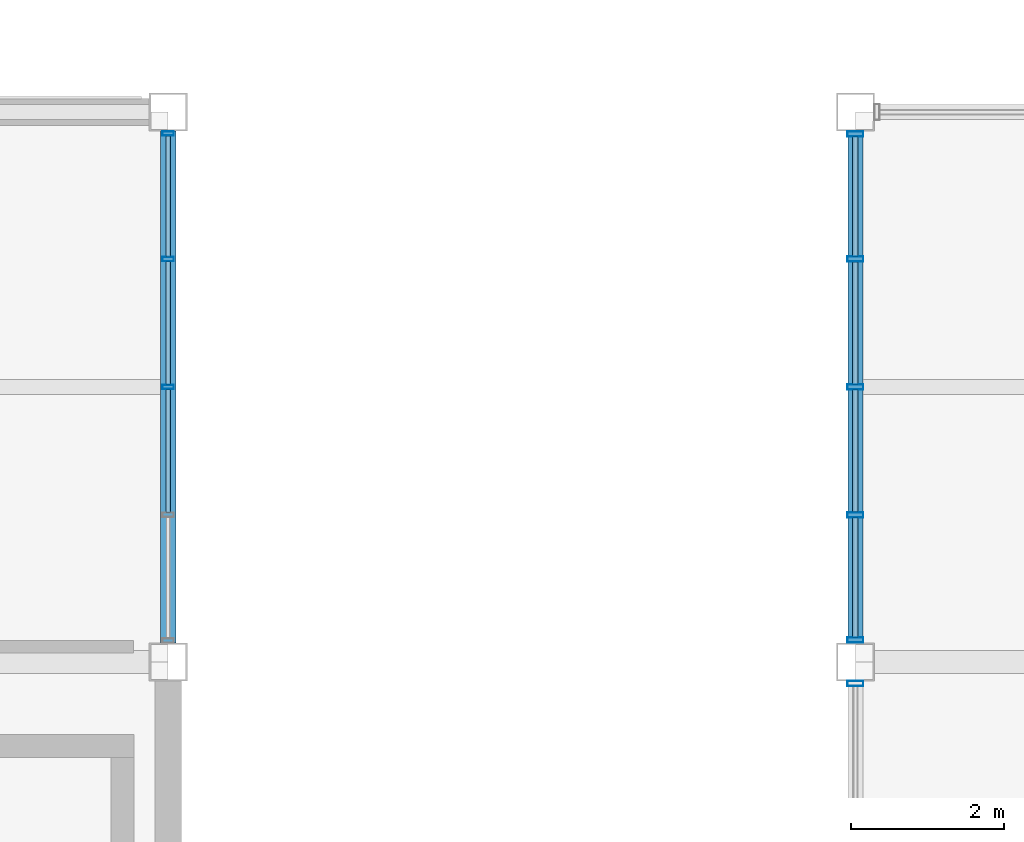
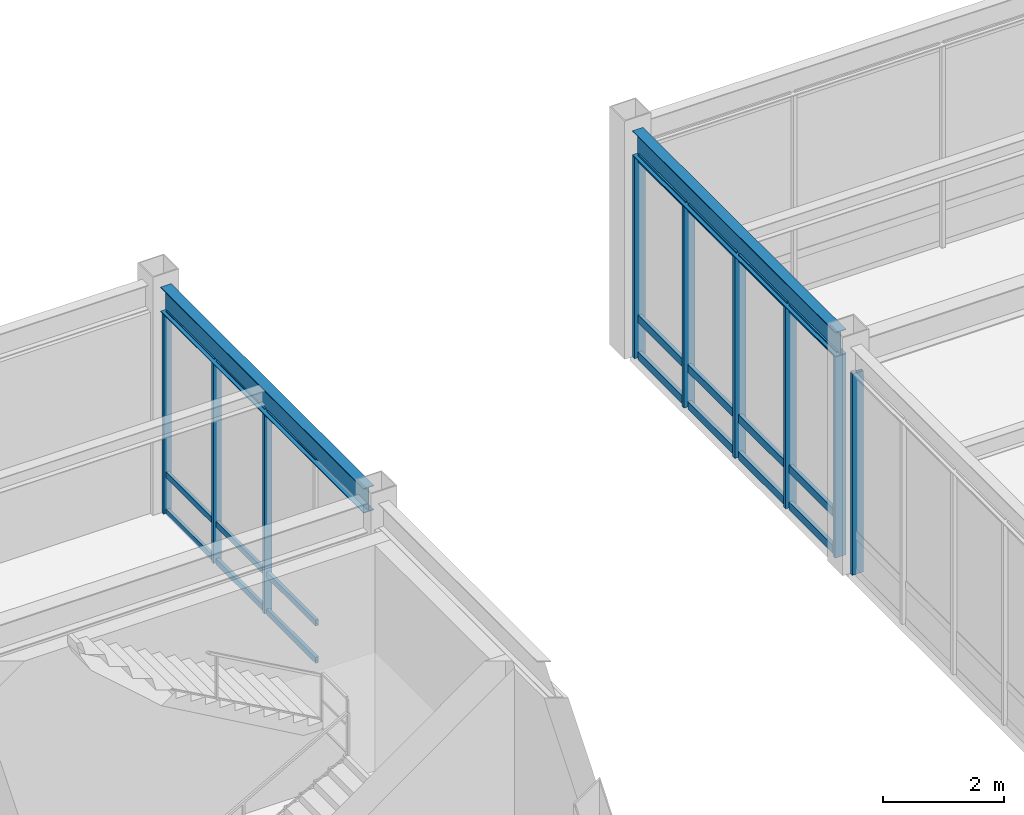
# One storey, part 55 of 112: 30 members, 2 beams, 3 elements without a shape of their own.
"""IFC4 building model written with IfcOpenShell, lengths in metres."""

from ifc_helpers import new_model, si_unit, direction, frame, origin, origin_2d, place, context, subcontext, project, spatial, hollow_rectangle, i_section, extrude, material, material_profile, profile_set, type_object, element, aggregate, save


model = new_model("IFC4")

# Units and contexts
model_context = context("Model", 3, precision=1e-05, world=origin(), true_north=direction((0.0, 1.0)))
body_context = subcontext(model_context, "Body", "Model", "MODEL_VIEW")
ifc_project = project(units=[si_unit("LENGTHUNIT", "METRE"), si_unit("AREAUNIT", "SQUARE_METRE"), si_unit("VOLUMEUNIT", "CUBIC_METRE"), si_unit("PLANEANGLEUNIT", "RADIAN"), si_unit("MASSUNIT", "GRAM", prefix="KILO")], contexts=[model_context])

# Site, building, storey
site_placement = place(None, origin())
site = spatial("IfcSite", under=ifc_project, at=site_placement, CompositionType="ELEMENT")
building_placement = place(site_placement, origin())
building = spatial("IfcBuilding", under=site, at=building_placement, Name="Kazanami Central Library", CompositionType="ELEMENT")
storey_placement = place(building_placement, origin())
storey = spatial("IfcBuildingStorey", under=building, at=storey_placement, Name="L01", CompositionType="ELEMENT", Elevation=0.0)

# Beams
ifc_material_1 = material(Name="Steel SN490B (325 MPa)", Category="steel")
ifc_material_profile_1 = material_profile(ifc_material_1, i_section(OverallWidth=0.199951171875, OverallDepth=0.5, WebThickness=0.010009765625, FlangeThickness=0.01611328125, at=origin_2d()), Name="H-500x200x10x16")
ifc_profile_set_1 = profile_set([ifc_material_profile_1], Name="Steel SN490B (325 MPa)")
beam_type = type_object("IfcBeamType", Name="BM-SP-1", PredefinedType="SPANDREL", material=ifc_profile_set_1)
for number, where, z_axis, x_axis, name in (
    (1, (36.0, 86.64794921875, 4.304931640625), (0.0, 1.0, 0.0), (-1.0, 0.0, 0.0), "Girder SP-1 L01 5/N-O"),
    (2, (45.0, 86.64794921875, 4.304931640625), (0.0, 1.0, 0.0), (-1.0, 0.0, 0.0), "Girder SP-1 L01 6/N-O"),
):
    element("IfcBeam", number, at=place(storey_placement, frame(where, z_axis=z_axis, x_axis=x_axis)), inside=storey, type_object=beam_type, Name=name, PredefinedType="SPANDREL", context=body_context, shape_type="SweptSolid", body=[
        extrude(i_section(OverallWidth=0.199951171875, OverallDepth=0.5, WebThickness=0.010009765625, FlangeThickness=0.01611328125, at=origin_2d()), origin(), (0.0, 0.0, 1.0), 6.7041015625),
    ])

# Curtain wall, member
ifc_material_2 = material(Name="Acid-Etched Low-E Laminated Glass", Category="glass")
curtain_wall_type = type_object("IfcCurtainWallType", Name="CW-6700x4055-M180", PredefinedType="USERDEFINED", material=ifc_material_2)
curtain_wall_1_placement = place(storey_placement, origin())
curtain_wall_1 = element("IfcCurtainWall", 3, at=curtain_wall_1_placement, inside=storey, type_object=curtain_wall_type, Name="Covered Link Bridge Curtain Wall CW-09 L01 W-6-11", ObjectType="UNITISED CURTAIN WALL", PredefinedType="USERDEFINED")
ifc_material_3 = material(Name="Anodised Aluminium A6063-T5", Category="aluminium")
ifc_material_profile_2 = material_profile(ifc_material_3, hollow_rectangle(XDim=0.070068359375, YDim=0.2099609375, WallThickness=0.0048828125, at=origin_2d()), Name="ALU-MULL-70x210x5")
ifc_profile_set_2 = profile_set([ifc_material_profile_2], Name="Anodised Aluminium A6063-T5")
member_type_1 = type_object("IfcMemberType", Name="MEM-CW-M1", PredefinedType="MULLION", material=ifc_profile_set_2)
member_1_placement = place(storey_placement, frame((45.0, 86.114990234375, 0.0), z_axis=(0.0, 0.0, 1.0), x_axis=(0.0, 1.0, 0.0)))
member_1 = element("IfcMember", 4, at=member_1_placement, type_object=member_type_1, Name="CW-09 mullion 5", PredefinedType="MULLION", context=body_context, shape_type="SweptSolid", body=[
    extrude(hollow_rectangle(XDim=0.070068359375, YDim=0.2099609375, WallThickness=0.0048828125, at=origin_2d()), origin(), (0.0, 0.0, 1.0), 4.054931640625),
])
aggregate(curtain_wall_1, [member_1])

# Curtain wall, members
curtain_wall_2_placement = place(storey_placement, origin())
curtain_wall_2 = element("IfcCurtainWall", 5, at=curtain_wall_2_placement, inside=storey, type_object=curtain_wall_type, Name="Covered Link Bridge Curtain Wall CW-09 L01 W-6-12", ObjectType="UNITISED CURTAIN WALL", PredefinedType="USERDEFINED")
member_2_placement = place(storey_placement, frame((45.0, 86.68505859375, 0.0), z_axis=(0.0, 0.0, 1.0), x_axis=(0.0, 1.0, 0.0)))
member_2 = element("IfcMember", 6, at=member_2_placement, type_object=member_type_1, Name="CW-09 mullion 1", PredefinedType="MULLION", context=body_context, shape_type="SweptSolid", body=[
    extrude(hollow_rectangle(XDim=0.070068359375, YDim=0.2099609375, WallThickness=0.0048828125, at=origin_2d()), origin(), (0.0, 0.0, 1.0), 4.054931640625),
])
member_3_placement = place(storey_placement, frame((45.0, 88.324951171875, 0.0), z_axis=(0.0, 0.0, 1.0), x_axis=(0.0, 1.0, 0.0)))
member_3 = element("IfcMember", 7, at=member_3_placement, type_object=member_type_1, Name="CW-09 mullion 2", PredefinedType="MULLION", context=body_context, shape_type="SweptSolid", body=[
    extrude(hollow_rectangle(XDim=0.070068359375, YDim=0.2099609375, WallThickness=0.0048828125, at=origin_2d()), origin(), (0.0, 0.0, 1.0), 4.054931640625),
])
member_4_placement = place(storey_placement, frame((45.0, 90.0, 0.0), z_axis=(0.0, 0.0, 1.0), x_axis=(0.0, 1.0, 0.0)))
member_4 = element("IfcMember", 8, at=member_4_placement, type_object=member_type_1, Name="CW-09 mullion 3", PredefinedType="MULLION", context=body_context, shape_type="SweptSolid", body=[
    extrude(hollow_rectangle(XDim=0.070068359375, YDim=0.2099609375, WallThickness=0.0048828125, at=origin_2d()), origin(), (0.0, 0.0, 1.0), 4.054931640625),
])
member_5_placement = place(storey_placement, frame((45.0, 91.675048828125, 0.0), z_axis=(0.0, 0.0, 1.0), x_axis=(0.0, 1.0, 0.0)))
member_5 = element("IfcMember", 9, at=member_5_placement, type_object=member_type_1, Name="CW-09 mullion 4", PredefinedType="MULLION", context=body_context, shape_type="SweptSolid", body=[
    extrude(hollow_rectangle(XDim=0.070068359375, YDim=0.2099609375, WallThickness=0.0048828125, at=origin_2d()), origin(), (0.0, 0.0, 1.0), 4.054931640625),
])
member_6_placement = place(storey_placement, frame((45.0, 93.31494140625, 0.0), z_axis=(0.0, 0.0, 1.0), x_axis=(0.0, 1.0, 0.0)))
member_6 = element("IfcMember", 10, at=member_6_placement, type_object=member_type_1, Name="CW-09 mullion 5", PredefinedType="MULLION", context=body_context, shape_type="SweptSolid", body=[
    extrude(hollow_rectangle(XDim=0.070068359375, YDim=0.2099609375, WallThickness=0.0048828125, at=origin_2d()), origin(), (0.0, 0.0, 1.0), 4.054931640625),
])

curtain_wall_3_placement = place(storey_placement, origin())
curtain_wall_3 = element("IfcCurtainWall", 11, at=curtain_wall_3_placement, inside=storey, type_object=curtain_wall_type, Name="Covered Link Bridge Curtain Wall CW-09 L01 E-5-12", ObjectType="UNITISED CURTAIN WALL", PredefinedType="USERDEFINED")
ifc_material_profile_3 = material_profile(ifc_material_3, hollow_rectangle(XDim=0.06005859375, YDim=0.14990234375, WallThickness=0.00390625, at=origin_2d()), Name="ALU-MULL-60x150x4")
ifc_profile_set_3 = profile_set([ifc_material_profile_3], Name="Anodised Aluminium A6063-T5")
member_type_2 = type_object("IfcMemberType", Name="MEM-CW-M3", PredefinedType="MULLION", material=ifc_profile_set_3)
member_7_placement = place(storey_placement, frame((36.0, 93.320068359375, 0.0), z_axis=(0.0, 0.0, 1.0), x_axis=(0.0, -1.0, 0.0)))
member_7 = element("IfcMember", 12, at=member_7_placement, type_object=member_type_2, Name="CW-09 mullion 1", PredefinedType="MULLION", context=body_context, shape_type="SweptSolid", body=[
    extrude(hollow_rectangle(XDim=0.06005859375, YDim=0.14990234375, WallThickness=0.00390625, at=origin_2d()), origin(), (0.0, 0.0, 1.0), 4.054931640625),
])
member_8_placement = place(storey_placement, frame((36.0, 91.675048828125, 0.0), z_axis=(0.0, 0.0, 1.0), x_axis=(0.0, -1.0, 0.0)))
member_8 = element("IfcMember", 13, at=member_8_placement, type_object=member_type_2, Name="CW-09 mullion 2", PredefinedType="MULLION", context=body_context, shape_type="SweptSolid", body=[
    extrude(hollow_rectangle(XDim=0.06005859375, YDim=0.14990234375, WallThickness=0.00390625, at=origin_2d()), origin(), (0.0, 0.0, 1.0), 4.054931640625),
])
member_9_placement = place(storey_placement, frame((36.0, 90.0, 0.0), z_axis=(0.0, 0.0, 1.0), x_axis=(0.0, -1.0, 0.0)))
member_9 = element("IfcMember", 14, at=member_9_placement, type_object=member_type_2, Name="CW-09 mullion 3", PredefinedType="MULLION", context=body_context, shape_type="SweptSolid", body=[
    extrude(hollow_rectangle(XDim=0.06005859375, YDim=0.14990234375, WallThickness=0.00390625, at=origin_2d()), origin(), (0.0, 0.0, 1.0), 4.054931640625),
])

# Member
ifc_material_profile_4 = material_profile(ifc_material_3, hollow_rectangle(XDim=0.070068359375, YDim=0.159912109375, WallThickness=0.00390625, at=origin_2d()), Name="ALU-TRAN-70x160x4")
ifc_profile_set_4 = profile_set([ifc_material_profile_4], Name="Anodised Aluminium A6063-T5")
member_type_3 = type_object("IfcMemberType", Name="MEM-CW-T1", PredefinedType="USERDEFINED", material=ifc_profile_set_4)
member_10_placement = place(storey_placement, frame((45.0, 86.719970703125, 0.034912109375), z_axis=(0.0, 1.0, 0.0), x_axis=(-1.0, 0.0, 0.0)))
member_10 = element("IfcMember", 15, at=member_10_placement, type_object=member_type_3, Name="CW-09 transom 1.1", ObjectType="TRANSOM", PredefinedType="USERDEFINED", context=body_context, shape_type="SweptSolid", body=[
    extrude(hollow_rectangle(XDim=0.070068359375, YDim=0.159912109375, WallThickness=0.00390625, at=origin_2d()), origin(), (0.0, 0.0, 1.0), 1.570068359375),
])

member_11_placement = place(storey_placement, frame((45.0, 86.719970703125, 0.780029296875), z_axis=(0.0, 1.0, 0.0), x_axis=(-1.0, 0.0, 0.0)))
member_11 = element("IfcMember", 16, at=member_11_placement, type_object=member_type_3, Name="CW-09 transom 1.2", ObjectType="TRANSOM", PredefinedType="USERDEFINED", context=body_context, shape_type="SweptSolid", body=[
    extrude(hollow_rectangle(XDim=0.070068359375, YDim=0.159912109375, WallThickness=0.00390625, at=origin_2d()), origin(), (0.0, 0.0, 1.0), 1.570068359375),
])

member_12_placement = place(storey_placement, frame((45.0, 86.719970703125, 4.02001953125), z_axis=(0.0, 1.0, 0.0), x_axis=(-1.0, 0.0, 0.0)))
member_12 = element("IfcMember", 17, at=member_12_placement, type_object=member_type_3, Name="CW-09 transom 1.3", ObjectType="TRANSOM", PredefinedType="USERDEFINED", context=body_context, shape_type="SweptSolid", body=[
    extrude(hollow_rectangle(XDim=0.070068359375, YDim=0.159912109375, WallThickness=0.00390625, at=origin_2d()), origin(), (0.0, 0.0, 1.0), 1.570068359375),
])

member_13_placement = place(storey_placement, frame((45.0, 88.360107421875, 0.034912109375), z_axis=(0.0, 1.0, 0.0), x_axis=(-1.0, 0.0, 0.0)))
member_13 = element("IfcMember", 18, at=member_13_placement, type_object=member_type_3, Name="CW-09 transom 2.1", ObjectType="TRANSOM", PredefinedType="USERDEFINED", context=body_context, shape_type="SweptSolid", body=[
    extrude(hollow_rectangle(XDim=0.070068359375, YDim=0.159912109375, WallThickness=0.00390625, at=origin_2d()), origin(), (0.0, 0.0, 1.0), 1.60498046875),
])

member_14_placement = place(storey_placement, frame((45.0, 88.360107421875, 0.780029296875), z_axis=(0.0, 1.0, 0.0), x_axis=(-1.0, 0.0, 0.0)))
member_14 = element("IfcMember", 19, at=member_14_placement, type_object=member_type_3, Name="CW-09 transom 2.2", ObjectType="TRANSOM", PredefinedType="USERDEFINED", context=body_context, shape_type="SweptSolid", body=[
    extrude(hollow_rectangle(XDim=0.070068359375, YDim=0.159912109375, WallThickness=0.00390625, at=origin_2d()), origin(), (0.0, 0.0, 1.0), 1.60498046875),
])

member_15_placement = place(storey_placement, frame((45.0, 88.360107421875, 4.02001953125), z_axis=(0.0, 1.0, 0.0), x_axis=(-1.0, 0.0, 0.0)))
member_15 = element("IfcMember", 20, at=member_15_placement, type_object=member_type_3, Name="CW-09 transom 2.3", ObjectType="TRANSOM", PredefinedType="USERDEFINED", context=body_context, shape_type="SweptSolid", body=[
    extrude(hollow_rectangle(XDim=0.070068359375, YDim=0.159912109375, WallThickness=0.00390625, at=origin_2d()), origin(), (0.0, 0.0, 1.0), 1.60498046875),
])

member_16_placement = place(storey_placement, frame((45.0, 90.034912109375, 0.034912109375), z_axis=(0.0, 1.0, 0.0), x_axis=(-1.0, 0.0, 0.0)))
member_16 = element("IfcMember", 21, at=member_16_placement, type_object=member_type_3, Name="CW-09 transom 3.1", ObjectType="TRANSOM", PredefinedType="USERDEFINED", context=body_context, shape_type="SweptSolid", body=[
    extrude(hollow_rectangle(XDim=0.070068359375, YDim=0.159912109375, WallThickness=0.00390625, at=origin_2d()), origin(), (0.0, 0.0, 1.0), 1.60498046875),
])

member_17_placement = place(storey_placement, frame((45.0, 90.034912109375, 0.780029296875), z_axis=(0.0, 1.0, 0.0), x_axis=(-1.0, 0.0, 0.0)))
member_17 = element("IfcMember", 22, at=member_17_placement, type_object=member_type_3, Name="CW-09 transom 3.2", ObjectType="TRANSOM", PredefinedType="USERDEFINED", context=body_context, shape_type="SweptSolid", body=[
    extrude(hollow_rectangle(XDim=0.070068359375, YDim=0.159912109375, WallThickness=0.00390625, at=origin_2d()), origin(), (0.0, 0.0, 1.0), 1.60498046875),
])

member_18_placement = place(storey_placement, frame((45.0, 90.034912109375, 4.02001953125), z_axis=(0.0, 1.0, 0.0), x_axis=(-1.0, 0.0, 0.0)))
member_18 = element("IfcMember", 23, at=member_18_placement, type_object=member_type_3, Name="CW-09 transom 3.3", ObjectType="TRANSOM", PredefinedType="USERDEFINED", context=body_context, shape_type="SweptSolid", body=[
    extrude(hollow_rectangle(XDim=0.070068359375, YDim=0.159912109375, WallThickness=0.00390625, at=origin_2d()), origin(), (0.0, 0.0, 1.0), 1.60498046875),
])

member_19_placement = place(storey_placement, frame((45.0, 91.7099609375, 0.034912109375), z_axis=(0.0, 1.0, 0.0), x_axis=(-1.0, 0.0, 0.0)))
member_19 = element("IfcMember", 24, at=member_19_placement, type_object=member_type_3, Name="CW-09 transom 4.1", ObjectType="TRANSOM", PredefinedType="USERDEFINED", context=body_context, shape_type="SweptSolid", body=[
    extrude(hollow_rectangle(XDim=0.070068359375, YDim=0.159912109375, WallThickness=0.00390625, at=origin_2d()), origin(), (0.0, 0.0, 1.0), 1.570068359375),
])

member_20_placement = place(storey_placement, frame((45.0, 91.7099609375, 0.780029296875), z_axis=(0.0, 1.0, 0.0), x_axis=(-1.0, 0.0, 0.0)))
member_20 = element("IfcMember", 25, at=member_20_placement, type_object=member_type_3, Name="CW-09 transom 4.2", ObjectType="TRANSOM", PredefinedType="USERDEFINED", context=body_context, shape_type="SweptSolid", body=[
    extrude(hollow_rectangle(XDim=0.070068359375, YDim=0.159912109375, WallThickness=0.00390625, at=origin_2d()), origin(), (0.0, 0.0, 1.0), 1.570068359375),
])

member_21_placement = place(storey_placement, frame((45.0, 91.7099609375, 4.02001953125), z_axis=(0.0, 1.0, 0.0), x_axis=(-1.0, 0.0, 0.0)))
member_21 = element("IfcMember", 26, at=member_21_placement, type_object=member_type_3, Name="CW-09 transom 4.3", ObjectType="TRANSOM", PredefinedType="USERDEFINED", context=body_context, shape_type="SweptSolid", body=[
    extrude(hollow_rectangle(XDim=0.070068359375, YDim=0.159912109375, WallThickness=0.00390625, at=origin_2d()), origin(), (0.0, 0.0, 1.0), 1.570068359375),
])

aggregate(curtain_wall_2, [member_2, member_3, member_4, member_5, member_6, member_10, member_11, member_12, member_13, member_14, member_15, member_16, member_17, member_18, member_19, member_20, member_21])

ifc_material_profile_5 = material_profile(ifc_material_3, hollow_rectangle(XDim=0.06005859375, YDim=0.1201171875, WallThickness=0.00341796875, at=origin_2d()), Name="ALU-TRAN-60x120x3.5")
ifc_profile_set_5 = profile_set([ifc_material_profile_5], Name="Anodised Aluminium A6063-T5")
member_type_4 = type_object("IfcMemberType", Name="MEM-CW-T3", PredefinedType="USERDEFINED", material=ifc_profile_set_5)
member_22_placement = place(storey_placement, frame((36.0, 93.2900390625, 0.030029296875), z_axis=(0.0, -1.0, 0.0), x_axis=(1.0, 0.0, 0.0)))
member_22 = element("IfcMember", 27, at=member_22_placement, type_object=member_type_4, Name="CW-09 transom 1.1", ObjectType="TRANSOM", PredefinedType="USERDEFINED", context=body_context, shape_type="SweptSolid", body=[
    extrude(hollow_rectangle(XDim=0.06005859375, YDim=0.1201171875, WallThickness=0.00341796875, at=origin_2d()), origin(), (0.0, 0.0, 1.0), 1.5849609375),
])

member_23_placement = place(storey_placement, frame((36.0, 93.2900390625, 0.780029296875), z_axis=(0.0, -1.0, 0.0), x_axis=(1.0, 0.0, 0.0)))
member_23 = element("IfcMember", 28, at=member_23_placement, type_object=member_type_4, Name="CW-09 transom 1.2", ObjectType="TRANSOM", PredefinedType="USERDEFINED", context=body_context, shape_type="SweptSolid", body=[
    extrude(hollow_rectangle(XDim=0.06005859375, YDim=0.1201171875, WallThickness=0.00341796875, at=origin_2d()), origin(), (0.0, 0.0, 1.0), 1.5849609375),
])

member_24_placement = place(storey_placement, frame((36.0, 93.2900390625, 4.02490234375), z_axis=(0.0, -1.0, 0.0), x_axis=(1.0, 0.0, 0.0)))
member_24 = element("IfcMember", 29, at=member_24_placement, type_object=member_type_4, Name="CW-09 transom 1.3", ObjectType="TRANSOM", PredefinedType="USERDEFINED", context=body_context, shape_type="SweptSolid", body=[
    extrude(hollow_rectangle(XDim=0.06005859375, YDim=0.1201171875, WallThickness=0.00341796875, at=origin_2d()), origin(), (0.0, 0.0, 1.0), 1.5849609375),
])

member_25_placement = place(storey_placement, frame((36.0, 91.64501953125, 0.030029296875), z_axis=(0.0, -1.0, 0.0), x_axis=(1.0, 0.0, 0.0)))
member_25 = element("IfcMember", 30, at=member_25_placement, type_object=member_type_4, Name="CW-09 transom 2.1", ObjectType="TRANSOM", PredefinedType="USERDEFINED", context=body_context, shape_type="SweptSolid", body=[
    extrude(hollow_rectangle(XDim=0.06005859375, YDim=0.1201171875, WallThickness=0.00341796875, at=origin_2d()), origin(), (0.0, 0.0, 1.0), 1.614990234375),
])

member_26_placement = place(storey_placement, frame((36.0, 91.64501953125, 0.780029296875), z_axis=(0.0, -1.0, 0.0), x_axis=(1.0, 0.0, 0.0)))
member_26 = element("IfcMember", 31, at=member_26_placement, type_object=member_type_4, Name="CW-09 transom 2.2", ObjectType="TRANSOM", PredefinedType="USERDEFINED", context=body_context, shape_type="SweptSolid", body=[
    extrude(hollow_rectangle(XDim=0.06005859375, YDim=0.1201171875, WallThickness=0.00341796875, at=origin_2d()), origin(), (0.0, 0.0, 1.0), 1.614990234375),
])

member_27_placement = place(storey_placement, frame((36.0, 91.64501953125, 4.02490234375), z_axis=(0.0, -1.0, 0.0), x_axis=(1.0, 0.0, 0.0)))
member_27 = element("IfcMember", 32, at=member_27_placement, type_object=member_type_4, Name="CW-09 transom 2.3", ObjectType="TRANSOM", PredefinedType="USERDEFINED", context=body_context, shape_type="SweptSolid", body=[
    extrude(hollow_rectangle(XDim=0.06005859375, YDim=0.1201171875, WallThickness=0.00341796875, at=origin_2d()), origin(), (0.0, 0.0, 1.0), 1.614990234375),
])

member_28_placement = place(storey_placement, frame((36.0, 89.969970703125, 0.030029296875), z_axis=(0.0, -1.0, 0.0), x_axis=(1.0, 0.0, 0.0)))
member_28 = element("IfcMember", 33, at=member_28_placement, type_object=member_type_4, Name="CW-09 transom 3.1", ObjectType="TRANSOM", PredefinedType="USERDEFINED", context=body_context, shape_type="SweptSolid", body=[
    extrude(hollow_rectangle(XDim=0.06005859375, YDim=0.1201171875, WallThickness=0.00341796875, at=origin_2d()), origin(), (0.0, 0.0, 1.0), 1.614990234375),
])

member_29_placement = place(storey_placement, frame((36.0, 89.969970703125, 0.780029296875), z_axis=(0.0, -1.0, 0.0), x_axis=(1.0, 0.0, 0.0)))
member_29 = element("IfcMember", 34, at=member_29_placement, type_object=member_type_4, Name="CW-09 transom 3.2", ObjectType="TRANSOM", PredefinedType="USERDEFINED", context=body_context, shape_type="SweptSolid", body=[
    extrude(hollow_rectangle(XDim=0.06005859375, YDim=0.1201171875, WallThickness=0.00341796875, at=origin_2d()), origin(), (0.0, 0.0, 1.0), 1.614990234375),
])

member_30_placement = place(storey_placement, frame((36.0, 89.969970703125, 4.02490234375), z_axis=(0.0, -1.0, 0.0), x_axis=(1.0, 0.0, 0.0)))
member_30 = element("IfcMember", 35, at=member_30_placement, type_object=member_type_4, Name="CW-09 transom 3.3", ObjectType="TRANSOM", PredefinedType="USERDEFINED", context=body_context, shape_type="SweptSolid", body=[
    extrude(hollow_rectangle(XDim=0.06005859375, YDim=0.1201171875, WallThickness=0.00341796875, at=origin_2d()), origin(), (0.0, 0.0, 1.0), 1.614990234375),
])

aggregate(curtain_wall_3, [member_7, member_8, member_9, member_22, member_23, member_24, member_25, member_26, member_27, member_28, member_29, member_30])

save(model, "model.ifc")
